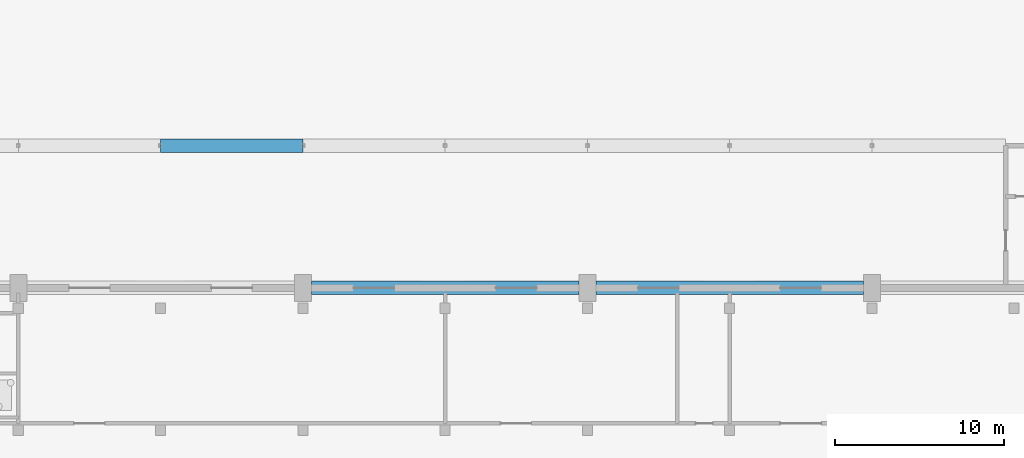
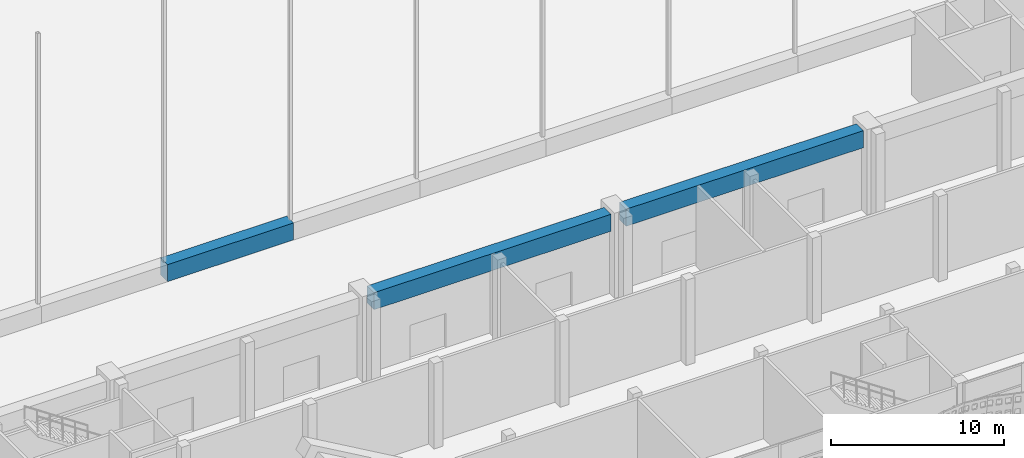
# One storey, part 55 of 210: 3 beams.
"""IFC4 building model written with IfcOpenShell, lengths in metres."""

from ifc_helpers import new_model, si_unit, direction, frame, origin, origin_2d, place, context, subcontext, project, spatial, rectangle, extrude, material, material_profile, profile_set, type_object, element, save


model = new_model("IFC4")

# Units and contexts
model_context = context("Model", 3, precision=1e-05, world=origin(), true_north=direction((0.0, 1.0)))
body_context = subcontext(model_context, "Body", "Model", "MODEL_VIEW")
ifc_project = project(units=[si_unit("LENGTHUNIT", "METRE"), si_unit("AREAUNIT", "SQUARE_METRE"), si_unit("VOLUMEUNIT", "CUBIC_METRE"), si_unit("PLANEANGLEUNIT", "RADIAN"), si_unit("MASSUNIT", "GRAM", prefix="KILO")], contexts=[model_context])

# Site, building, storey
site_placement = place(None, origin())
site = spatial("IfcSite", under=ifc_project, at=site_placement, CompositionType="ELEMENT")
building_placement = place(site_placement, origin())
building = spatial("IfcBuilding", under=site, at=building_placement, Name="Rain Tree Exposition and Congress Centre", CompositionType="ELEMENT")
storey_placement = place(building_placement, origin())
storey = spatial("IfcBuildingStorey", under=building, at=storey_placement, Name="L00", CompositionType="ELEMENT", Elevation=0.0)

# Beams
ifc_material = material(Name="Precast concrete C50/60", Category="concrete")
ifc_material_profile = material_profile(ifc_material, rectangle(XDim=0.800048828125, YDim=1.199951171875, at=origin_2d()), Name="RC 800x1200")
ifc_profile_set = profile_set([ifc_material_profile], Name="Precast concrete C50/60")
beam_type = type_object("IfcBeamType", Name="Precast beam 800x1200", PredefinedType="BEAM", material=ifc_profile_set)
for number, where, z_axis, x_axis, name in (
    (1, (193.699951171875, 100.800048828125, 5.10009765625), (1.0, 0.0, 0.0), (0.0, 1.0, 0.0), "Gallery perimeter beam 4"),
    (2, (210.5, 100.800048828125, 5.10009765625), (1.0, 0.0, 0.0), (0.0, 1.0, 0.0), "Gallery perimeter beam 5"),
):
    element("IfcBeam", number, at=place(storey_placement, frame(where, z_axis=z_axis, x_axis=x_axis)), inside=storey, type_object=beam_type, Name=name, PredefinedType="BEAM", context=body_context, shape_type="SweptSolid", body=[
        extrude(rectangle(XDim=0.800048828125, YDim=1.199951171875, at=origin_2d()), origin(), (0.0, 0.0, 1.0), 15.800048828125),
    ])
beam_placement = place(storey_placement, frame((184.800048828125, 109.199951171875, 5.10009765625), z_axis=(1.0, 0.0, 0.0), x_axis=(0.0, 1.0, 0.0)))
element("IfcBeam", 3, at=beam_placement, inside=storey, type_object=beam_type, Name="Gallery edge beam 5", PredefinedType="BEAM", context=body_context, shape_type="SweptSolid", body=[
    extrude(rectangle(XDim=0.800048828125, YDim=1.199951171875, at=origin_2d()), origin(), (0.0, 0.0, 1.0), 8.39990234375),
])

save(model, "model.ifc")
